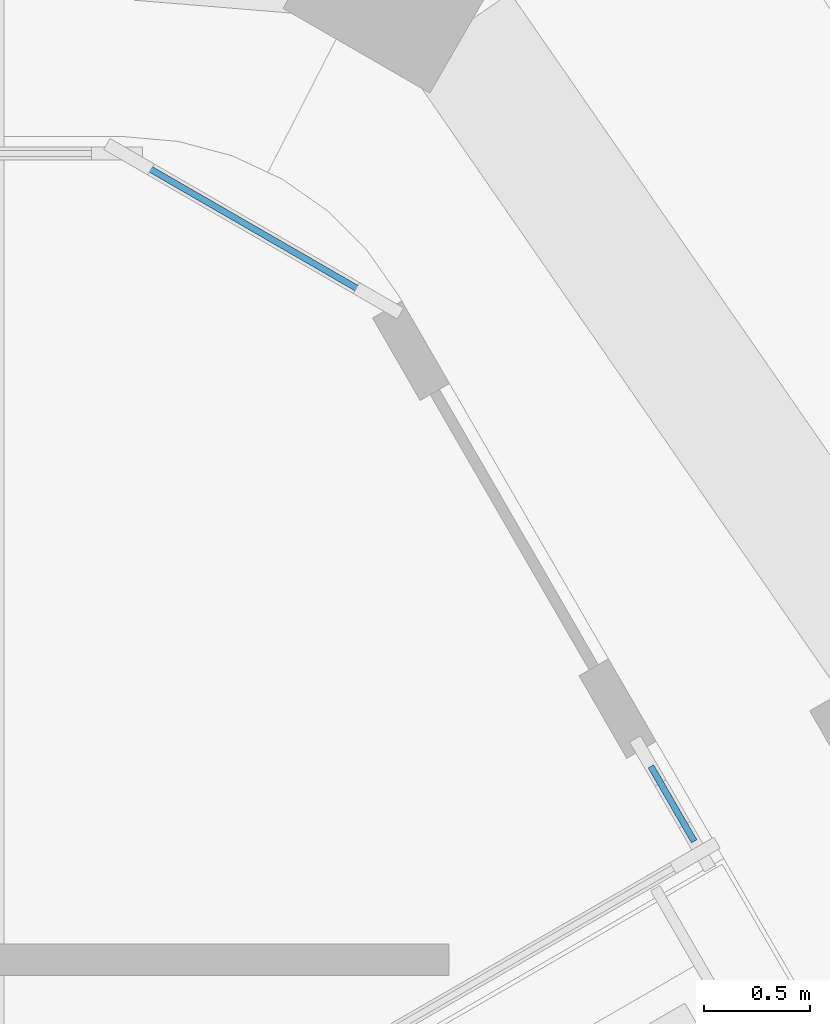
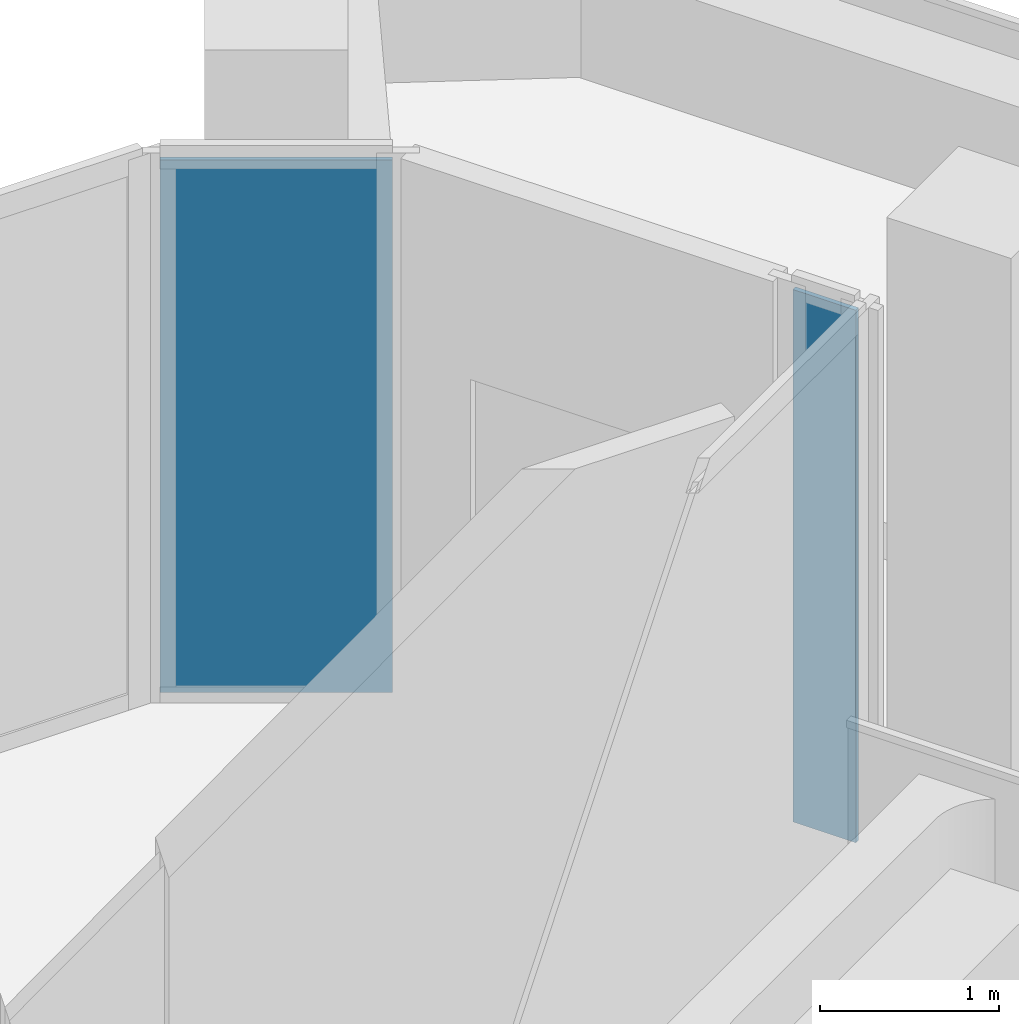
# One storey, part 10 of 17: 2 plates, 2 elements without a shape of their own.
"""IFC4 building model written with IfcOpenShell, lengths in metres."""

from ifc_helpers import new_model, si_unit, direction, frame, origin, origin_2d, place, context, subcontext, project, spatial, rectangle, extrude, material, layer, layer_set, type_object, element, aggregate, save


model = new_model("IFC4")

# Units and contexts
model_context = context("Model", 3, precision=1e-05, world=origin(), true_north=direction((0.0, 1.0)))
body_context = subcontext(model_context, "Body", "Model", "MODEL_VIEW")
ifc_project = project(units=[si_unit("LENGTHUNIT", "METRE"), si_unit("AREAUNIT", "SQUARE_METRE"), si_unit("VOLUMEUNIT", "CUBIC_METRE"), si_unit("PLANEANGLEUNIT", "RADIAN"), si_unit("MASSUNIT", "GRAM", prefix="KILO")], contexts=[model_context])

# Site, building, storey
site_placement = place(None, origin())
site = spatial("IfcSite", under=ifc_project, at=site_placement, CompositionType="ELEMENT")
building_placement = place(site_placement, origin())
building = spatial("IfcBuilding", under=site, at=building_placement, Name="Kolab Exchange Tower", CompositionType="ELEMENT")
storey_placement = place(building_placement, frame((0.0, 0.0, 285.199951171875)))
storey = spatial("IfcBuildingStorey", under=building, at=storey_placement, Name="L64", CompositionType="ELEMENT", Elevation=285.199951171875)

# Curtain wall, plate
ifc_material_1 = material(Name="Aluminium EN AW-6063 T6", Category="aluminium")
curtain_wall_type = type_object("IfcCurtainWallType", Name="UNITISED HIGH ZONE CURTAIN WALL", PredefinedType="NOTDEFINED", material=ifc_material_1)
curtain_wall_1_placement = place(storey_placement, origin())
curtain_wall_1 = element("IfcCurtainWall", 1, at=curtain_wall_1_placement, inside=storey, type_object=curtain_wall_type, Name="cw/L64/F2-l-1", PredefinedType="NOTDEFINED")
ifc_material_2 = material(Name="Clear insulated glazing unit", Category="glass")
ifc_layer = layer(ifc_material_2, 0.030029296875)
ifc_layer_set = layer_set([ifc_layer], Name="Clear insulated glazing unit")
plate_type = type_object("IfcPlateType", Name="UNITISED HIGH ZONE GLASS PANEL 30", PredefinedType="CURTAIN_PANEL", material=ifc_layer_set)
plate_1_placement = place(storey_placement, frame((12.859619140625, 16.135498046875, 0.06005859375), z_axis=(0.0, 0.0, 1.0), x_axis=(0.500000091793, -0.866025350788, 0.0)))
plate_1 = element("IfcPlate", 2, at=plate_1_placement, type_object=plate_type, Name="CW4 panel 1.1", PredefinedType="CURTAIN_PANEL", context=body_context, shape_type="SweptSolid", body=[
    extrude(rectangle(XDim=0.407958984375, YDim=0.030029296875, at=origin_2d()), origin(), (0.0, 0.0, 1.0), 3.6298828125),
])
aggregate(curtain_wall_1, [plate_1])

curtain_wall_2_placement = place(storey_placement, origin())
curtain_wall_2 = element("IfcCurtainWall", 3, at=curtain_wall_2_placement, inside=storey, type_object=curtain_wall_type, Name="cw/L64/F1F2-corner", PredefinedType="NOTDEFINED")
plate_2_placement = place(storey_placement, frame((10.8828125, 18.849609375, 0.06005859375), z_axis=(0.0, 0.0, 1.0), x_axis=(0.866025390869, -0.50000002237, 0.0)))
plate_2 = element("IfcPlate", 4, at=plate_2_placement, type_object=plate_type, Name="CW4 panel 1.1", PredefinedType="CURTAIN_PANEL", context=body_context, shape_type="SweptSolid", body=[
    extrude(rectangle(XDim=1.300048828125, YDim=0.030029296875, at=origin_2d()), origin(), (0.0, 0.0, 1.0), 3.6298828125),
])
aggregate(curtain_wall_2, [plate_2])

save(model, "model.ifc")
